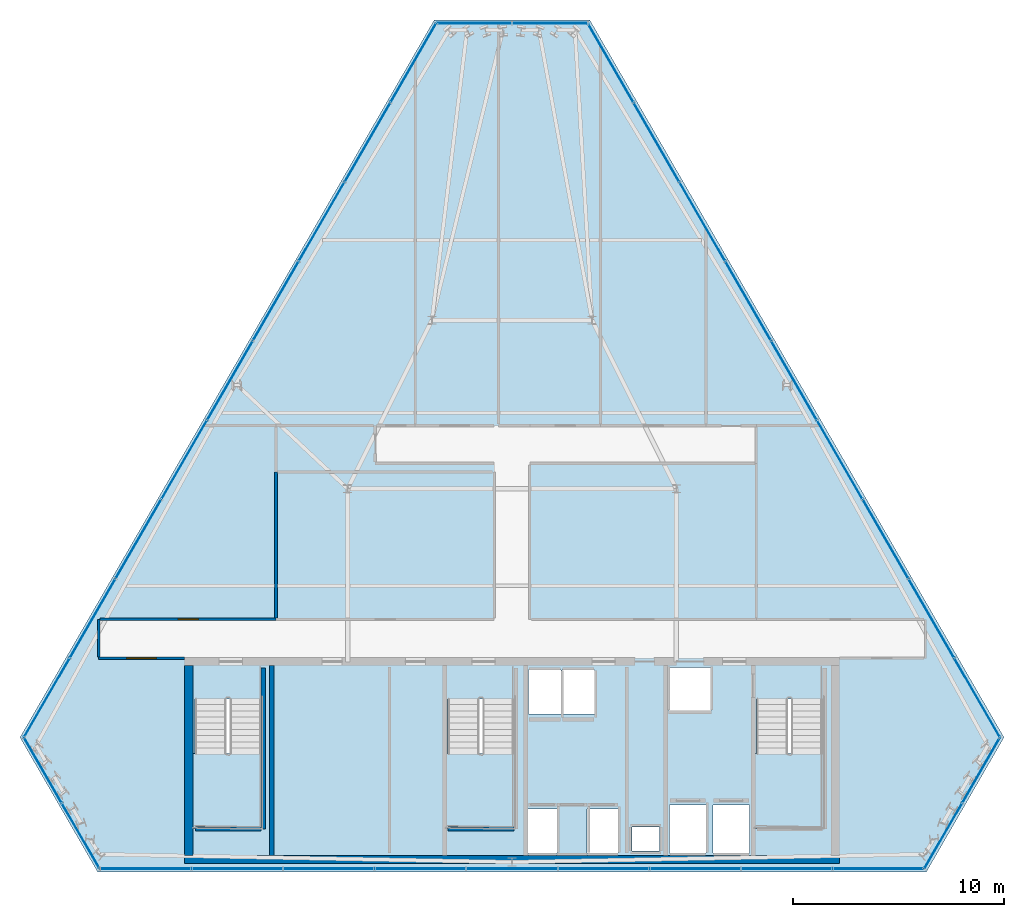
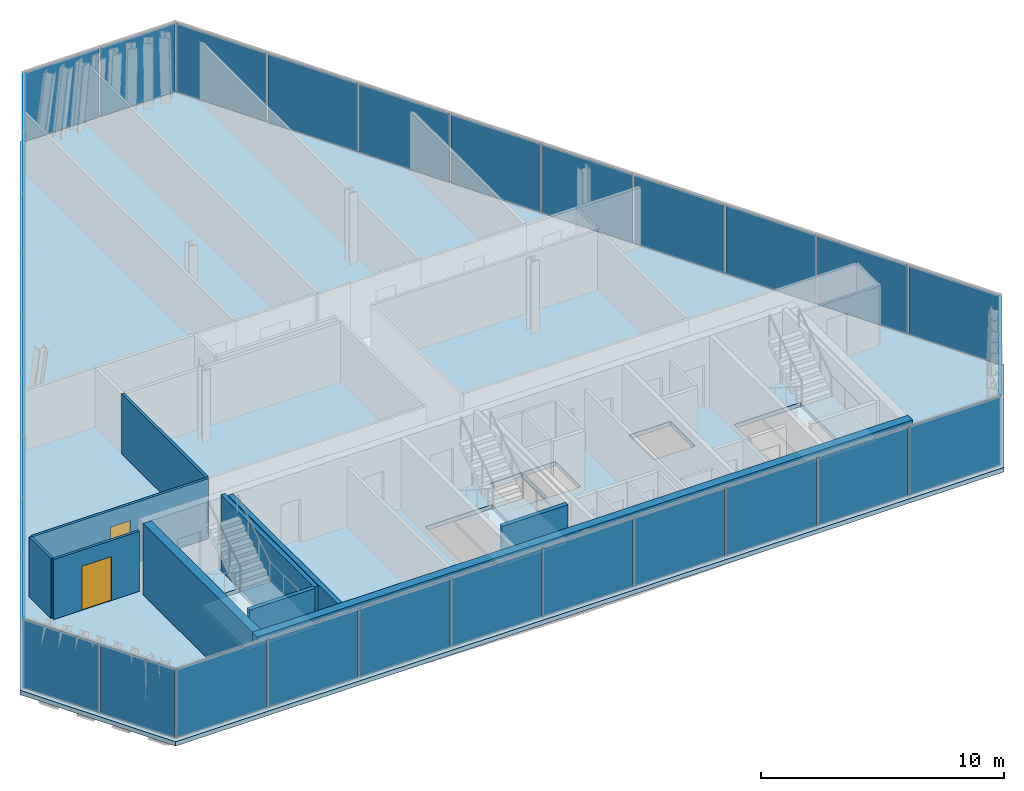
# One storey, part 23 of 29: 33 plates, 10 walls, 4 slabs, 2 doors, 2 openings, 9 elements without a shape of their own.
"""IFC4 building model written with IfcOpenShell, lengths in metres."""

from ifc_helpers import new_model, si_unit, direction, frame, frame_2d, origin, origin_2d, place, context, subcontext, project, spatial, polyline, rectangle, outline, extrude, material, layer, layer_set, type_object, element, fill, aggregate, save


model = new_model("IFC4")

# Units and contexts
model_context = context("Model", 3, precision=1e-05, world=origin(), true_north=direction((0.0, 1.0)))
body_context = subcontext(model_context, "Body", "Model", "MODEL_VIEW")
ifc_project = project(units=[si_unit("LENGTHUNIT", "METRE"), si_unit("AREAUNIT", "SQUARE_METRE"), si_unit("VOLUMEUNIT", "CUBIC_METRE"), si_unit("PLANEANGLEUNIT", "RADIAN"), si_unit("MASSUNIT", "GRAM", prefix="KILO")], contexts=[model_context])

# Site, building, storey
site_placement = place(None, origin())
site = spatial("IfcSite", under=ifc_project, at=site_placement, CompositionType="ELEMENT")
building_placement = place(site_placement, origin())
building = spatial("IfcBuilding", under=site, at=building_placement, Name="Ndaravel Arena Tower", CompositionType="ELEMENT")
storey_placement = place(building_placement, frame((0.0, 0.0, 237.0)))
storey = spatial("IfcBuildingStorey", under=building, at=storey_placement, Name="L57", CompositionType="ELEMENT", Elevation=237.0)

# Curtain wall, plate
ifc_material_1 = material(Name="Aluminium", Category="aluminium")
ifc_layer_1 = layer(ifc_material_1, 0.179931640625)
ifc_layer_set_1 = layer_set([ifc_layer_1], Name="Aluminium")
curtain_wall_type_1 = type_object("IfcCurtainWallType", Name="CW-SYS-01", PredefinedType="NOTDEFINED", material=ifc_layer_set_1)
curtain_wall_1_placement = place(storey_placement, origin())
curtain_wall_1 = element("IfcCurtainWall", 1, at=curtain_wall_1_placement, inside=storey, type_object=curtain_wall_type_1, Name="L57 Faceted Crystal Curtain Wall CW-L57-E02", PredefinedType="NOTDEFINED")
ifc_material_2 = material(Name="Glazing", Category="glass")
ifc_layer_2 = layer(ifc_material_2, 0.035888671875)
ifc_layer_set_2 = layer_set([ifc_layer_2], Name="Glazing")
plate_type_1 = type_object("IfcPlateType", Name="PLT-CW-OPVENT", PredefinedType="CURTAIN_PANEL", material=ifc_layer_set_2)
plate_1_placement = place(storey_placement, frame((64.268310546875, 9.836181640625, 0.06005859375), z_axis=(0.0, 0.0, 1.0), x_axis=(0.499984884929, 0.866034130299, 0.0)))
plate_1 = element("IfcPlate", 2, at=plate_1_placement, type_object=plate_type_1, Name="CW-L57-E02 Operable Vent Sash Panel 02", PredefinedType="CURTAIN_PANEL", context=body_context, shape_type="SweptSolid", body=[
    extrude(rectangle(XDim=3.519775390625, YDim=0.035888671875, at=origin_2d()), origin(), (0.0, 0.0, 1.0), 3.4599609375),
])

curtain_wall_2_placement = place(storey_placement, origin())
curtain_wall_2 = element("IfcCurtainWall", 3, at=curtain_wall_2_placement, inside=storey, type_object=curtain_wall_type_1, Name="L57 Faceted Crystal Curtain Wall CW-L57-E04", PredefinedType="NOTDEFINED")
plate_2_placement = place(storey_placement, frame((40.2001953125, 45.288818359375, 0.06005859375), z_axis=(0.0, 0.0, 1.0), x_axis=(-1.0, 0.0, 0.0)))
plate_2 = element("IfcPlate", 4, at=plate_2_placement, type_object=plate_type_1, Name="CW-L57-E04 Operable Vent Sash Panel 02", PredefinedType="CURTAIN_PANEL", context=body_context, shape_type="SweptSolid", body=[
    extrude(rectangle(XDim=3.519775390625, YDim=0.035888671875, at=origin_2d()), origin(), (0.0, 0.0, 1.0), 3.4599609375),
])

ifc_material_3 = material(Name="Aluminium", Category="aluminium")
ifc_layer_3 = layer(ifc_material_3, 0.179931640625)
ifc_layer_set_3 = layer_set([ifc_layer_3], Name="Aluminium")
curtain_wall_type_2 = type_object("IfcCurtainWallType", Name="CW-SYS-02", PredefinedType="NOTDEFINED", material=ifc_layer_set_3)
curtain_wall_3_placement = place(storey_placement, origin())
curtain_wall_3 = element("IfcCurtainWall", 5, at=curtain_wall_3_placement, inside=storey, type_object=curtain_wall_type_2, Name="L57 Faceted Crystal Curtain Wall CW-L57-E06", PredefinedType="NOTDEFINED")
plate_3_placement = place(storey_placement, frame((21.531494140625, 6.71875, 0.06005859375), z_axis=(0.0, 0.0, 1.0), x_axis=(0.499984884929, -0.866034130299, 0.0)))
plate_3 = element("IfcPlate", 6, at=plate_3_placement, type_object=plate_type_1, Name="CW-L57-E06 Operable Vent Sash Panel 02", PredefinedType="CURTAIN_PANEL", context=body_context, shape_type="SweptSolid", body=[
    extrude(rectangle(XDim=3.519775390625, YDim=0.035888671875, at=origin_2d()), origin(), (0.0, 0.0, 1.0), 3.4599609375),
])

# Plate
ifc_material_4 = material(Name="Glazing", Category="glass")
ifc_layer_4 = layer(ifc_material_4, 0.031982421875)
ifc_layer_set_4 = layer_set([ifc_layer_4], Name="Glazing")
plate_type_2 = type_object("IfcPlateType", Name="PLT-GLZ-FRIT35", PredefinedType="CURTAIN_PANEL", material=ifc_layer_set_4)
plate_4_placement = place(storey_placement, frame((62.468505859375, 6.71875, 0.06005859375), z_axis=(0.0, 0.0, 1.0), x_axis=(0.499984884929, 0.866034130299, 0.0)))
plate_4 = element("IfcPlate", 7, at=plate_4_placement, type_object=plate_type_2, Name="CW-L57-E02 Vision Glass Panel 01", PredefinedType="CURTAIN_PANEL", context=body_context, shape_type="SweptSolid", body=[
    extrude(rectangle(XDim=3.519775390625, YDim=0.035888671875, at=origin_2d()), origin(), (0.0, 0.0, 1.0), 3.4599609375),
])

aggregate(curtain_wall_1, [plate_4, plate_1])

plate_5_placement = place(storey_placement, frame((43.7998046875, 45.288818359375, 0.06005859375), z_axis=(0.0, 0.0, 1.0), x_axis=(-1.0, 0.0, 0.0)))
plate_5 = element("IfcPlate", 8, at=plate_5_placement, type_object=plate_type_2, Name="CW-L57-E04 Vision Glass Panel 01", PredefinedType="CURTAIN_PANEL", context=body_context, shape_type="SweptSolid", body=[
    extrude(rectangle(XDim=3.519775390625, YDim=0.035888671875, at=origin_2d()), origin(), (0.0, 0.0, 1.0), 3.4599609375),
])

aggregate(curtain_wall_2, [plate_5, plate_2])

ifc_material_5 = material(Name="Glazing", Category="glass")
ifc_layer_5 = layer(ifc_material_5, 0.035888671875)
ifc_layer_set_5 = layer_set([ifc_layer_5], Name="Glazing")
plate_type_3 = type_object("IfcPlateType", Name="PLT-GLZ-FRIT55", PredefinedType="CURTAIN_PANEL", material=ifc_layer_set_5)
plate_6_placement = place(storey_placement, frame((19.731689453125, 9.836181640625, 0.06005859375), z_axis=(0.0, 0.0, 1.0), x_axis=(0.499984884929, -0.866034130299, 0.0)))
plate_6 = element("IfcPlate", 9, at=plate_6_placement, type_object=plate_type_3, Name="CW-L57-E06 Vision Glass Panel 01", PredefinedType="CURTAIN_PANEL", context=body_context, shape_type="SweptSolid", body=[
    extrude(rectangle(XDim=3.519775390625, YDim=0.035888671875, at=origin_2d()), origin(), (0.0, 0.0, 1.0), 3.4599609375),
])

aggregate(curtain_wall_3, [plate_6, plate_3])

# Curtain wall, plates
ifc_material_6 = material(Name="Aluminium", Category="aluminium")
ifc_layer_6 = layer(ifc_material_6, 0.179931640625)
ifc_layer_set_6 = layer_set([ifc_layer_6], Name="Aluminium")
curtain_wall_type_3 = type_object("IfcCurtainWallType", Name="CW-SYS-03", PredefinedType="NOTDEFINED", material=ifc_layer_set_6)
curtain_wall_4_placement = place(storey_placement, origin())
curtain_wall_4 = element("IfcCurtainWall", 10, at=curtain_wall_4_placement, inside=storey, type_object=curtain_wall_type_3, Name="L57 Faceted Crystal Curtain Wall CW-L57-E01", PredefinedType="NOTDEFINED")
ifc_material_7 = material(Name="Glazing", Category="glass")
ifc_layer_7 = layer(ifc_material_7, 0.0400390625)
ifc_layer_set_7 = layer_set([ifc_layer_7], Name="Glazing")
plate_type_4 = type_object("IfcPlateType", Name="PLT-GLZ-LOWIRON", PredefinedType="CURTAIN_PANEL", material=ifc_layer_set_7)
plate_7_placement = place(storey_placement, frame((24.605712890625, 5.159912109375, 0.06005859375), z_axis=(0.0, 0.0, 1.0), x_axis=(1.0, 0.0, 0.0)))
plate_7 = element("IfcPlate", 11, at=plate_7_placement, type_object=plate_type_4, Name="CW-L57-E01 Vision Glass Panel 01", PredefinedType="CURTAIN_PANEL", context=body_context, shape_type="SweptSolid", body=[
    extrude(rectangle(XDim=4.2685546875, YDim=0.035888671875, at=origin_2d()), origin(), (0.0, 0.0, 1.0), 3.4599609375),
])
plate_8_placement = place(storey_placement, frame((28.9541015625, 5.159912109375, 0.06005859375), z_axis=(0.0, 0.0, 1.0), x_axis=(1.0, 0.0, 0.0)))
plate_8 = element("IfcPlate", 12, at=plate_8_placement, type_object=plate_type_4, Name="CW-L57-E01 Vision Glass Panel 02", PredefinedType="CURTAIN_PANEL", context=body_context, shape_type="SweptSolid", body=[
    extrude(rectangle(XDim=4.2685546875, YDim=0.035888671875, at=origin_2d()), origin(), (0.0, 0.0, 1.0), 3.4599609375),
])
plate_9_placement = place(storey_placement, frame((33.302734375, 5.159912109375, 0.06005859375), z_axis=(0.0, 0.0, 1.0), x_axis=(1.0, 0.0, 0.0)))
plate_9 = element("IfcPlate", 13, at=plate_9_placement, type_object=plate_type_4, Name="CW-L57-E01 Vision Glass Panel 03", PredefinedType="CURTAIN_PANEL", context=body_context, shape_type="SweptSolid", body=[
    extrude(rectangle(XDim=4.2685546875, YDim=0.035888671875, at=origin_2d()), origin(), (0.0, 0.0, 1.0), 3.4599609375),
])
plate_10_placement = place(storey_placement, frame((37.6513671875, 5.159912109375, 0.06005859375), z_axis=(0.0, 0.0, 1.0), x_axis=(1.0, 0.0, 0.0)))
plate_10 = element("IfcPlate", 14, at=plate_10_placement, type_object=plate_type_4, Name="CW-L57-E01 Vision Glass Panel 04", PredefinedType="CURTAIN_PANEL", context=body_context, shape_type="SweptSolid", body=[
    extrude(rectangle(XDim=4.2685546875, YDim=0.035888671875, at=origin_2d()), origin(), (0.0, 0.0, 1.0), 3.4599609375),
])
plate_11_placement = place(storey_placement, frame((42.0, 5.159912109375, 0.06005859375), z_axis=(0.0, 0.0, 1.0), x_axis=(1.0, 0.0, 0.0)))
plate_11 = element("IfcPlate", 15, at=plate_11_placement, type_object=plate_type_4, Name="CW-L57-E01 Vision Glass Panel 05", PredefinedType="CURTAIN_PANEL", context=body_context, shape_type="SweptSolid", body=[
    extrude(rectangle(XDim=4.2685546875, YDim=0.035888671875, at=origin_2d()), origin(), (0.0, 0.0, 1.0), 3.4599609375),
])
plate_12_placement = place(storey_placement, frame((46.3486328125, 5.159912109375, 0.06005859375), z_axis=(0.0, 0.0, 1.0), x_axis=(1.0, 0.0, 0.0)))
plate_12 = element("IfcPlate", 16, at=plate_12_placement, type_object=plate_type_4, Name="CW-L57-E01 Vision Glass Panel 06", PredefinedType="CURTAIN_PANEL", context=body_context, shape_type="SweptSolid", body=[
    extrude(rectangle(XDim=4.2685546875, YDim=0.035888671875, at=origin_2d()), origin(), (0.0, 0.0, 1.0), 3.4599609375),
])
plate_13_placement = place(storey_placement, frame((50.697265625, 5.159912109375, 0.06005859375), z_axis=(0.0, 0.0, 1.0), x_axis=(1.0, 0.0, 0.0)))
plate_13 = element("IfcPlate", 17, at=plate_13_placement, type_object=plate_type_4, Name="CW-L57-E01 Vision Glass Panel 07", PredefinedType="CURTAIN_PANEL", context=body_context, shape_type="SweptSolid", body=[
    extrude(rectangle(XDim=4.2685546875, YDim=0.035888671875, at=origin_2d()), origin(), (0.0, 0.0, 1.0), 3.4599609375),
])
plate_14_placement = place(storey_placement, frame((55.0458984375, 5.159912109375, 0.06005859375), z_axis=(0.0, 0.0, 1.0), x_axis=(1.0, 0.0, 0.0)))
plate_14 = element("IfcPlate", 18, at=plate_14_placement, type_object=plate_type_4, Name="CW-L57-E01 Vision Glass Panel 08", PredefinedType="CURTAIN_PANEL", context=body_context, shape_type="SweptSolid", body=[
    extrude(rectangle(XDim=4.2685546875, YDim=0.035888671875, at=origin_2d()), origin(), (0.0, 0.0, 1.0), 3.4599609375),
])
plate_15_placement = place(storey_placement, frame((59.394287109375, 5.159912109375, 0.06005859375), z_axis=(0.0, 0.0, 1.0), x_axis=(1.0, 0.0, 0.0)))
plate_15 = element("IfcPlate", 19, at=plate_15_placement, type_object=plate_type_4, Name="CW-L57-E01 Vision Glass Panel 09", PredefinedType="CURTAIN_PANEL", context=body_context, shape_type="SweptSolid", body=[
    extrude(rectangle(XDim=4.2685546875, YDim=0.035888671875, at=origin_2d()), origin(), (0.0, 0.0, 1.0), 3.4599609375),
])
aggregate(curtain_wall_4, [plate_7, plate_8, plate_9, plate_10, plate_11, plate_12, plate_13, plate_14, plate_15])

curtain_wall_5_placement = place(storey_placement, origin())
curtain_wall_5 = element("IfcCurtainWall", 20, at=curtain_wall_5_placement, inside=storey, type_object=curtain_wall_type_3, Name="L57 Faceted Crystal Curtain Wall CW-L57-E03", PredefinedType="NOTDEFINED")
plate_16_placement = place(storey_placement, frame((64.081298828125, 13.27783203125, 0.06005859375), z_axis=(0.0, 0.0, 1.0), x_axis=(-0.5, 0.866025403784, 0.0)))
plate_16 = element("IfcPlate", 21, at=plate_16_placement, type_object=plate_type_4, Name="CW-L57-E03 Vision Glass Panel 01", PredefinedType="CURTAIN_PANEL", context=body_context, shape_type="SweptSolid", body=[
    extrude(rectangle(XDim=4.2685546875, YDim=0.035888671875, at=origin_2d()), origin(), (0.0, 0.0, 1.0), 3.4599609375),
])
plate_17_placement = place(storey_placement, frame((61.906982421875, 17.0439453125, 0.06005859375), z_axis=(0.0, 0.0, 1.0), x_axis=(-0.5, 0.866025403784, 0.0)))
plate_17 = element("IfcPlate", 22, at=plate_17_placement, type_object=plate_type_4, Name="CW-L57-E03 Vision Glass Panel 02", PredefinedType="CURTAIN_PANEL", context=body_context, shape_type="SweptSolid", body=[
    extrude(rectangle(XDim=4.2685546875, YDim=0.035888671875, at=origin_2d()), origin(), (0.0, 0.0, 1.0), 3.4599609375),
])
plate_18_placement = place(storey_placement, frame((59.732666015625, 20.809814453125, 0.06005859375), z_axis=(0.0, 0.0, 1.0), x_axis=(-0.5, 0.866025403784, 0.0)))
plate_18 = element("IfcPlate", 23, at=plate_18_placement, type_object=plate_type_4, Name="CW-L57-E03 Vision Glass Panel 03", PredefinedType="CURTAIN_PANEL", context=body_context, shape_type="SweptSolid", body=[
    extrude(rectangle(XDim=4.2685546875, YDim=0.035888671875, at=origin_2d()), origin(), (0.0, 0.0, 1.0), 3.4599609375),
])
plate_19_placement = place(storey_placement, frame((57.558349609375, 24.575927734375, 0.06005859375), z_axis=(0.0, 0.0, 1.0), x_axis=(-0.5, 0.866025403784, 0.0)))
plate_19 = element("IfcPlate", 24, at=plate_19_placement, type_object=plate_type_4, Name="CW-L57-E03 Vision Glass Panel 04", PredefinedType="CURTAIN_PANEL", context=body_context, shape_type="SweptSolid", body=[
    extrude(rectangle(XDim=4.2685546875, YDim=0.035888671875, at=origin_2d()), origin(), (0.0, 0.0, 1.0), 3.4599609375),
])
plate_20_placement = place(storey_placement, frame((55.384033203125, 28.341796875, 0.06005859375), z_axis=(0.0, 0.0, 1.0), x_axis=(-0.5, 0.866025403784, 0.0)))
plate_20 = element("IfcPlate", 25, at=plate_20_placement, type_object=plate_type_4, Name="CW-L57-E03 Vision Glass Panel 05", PredefinedType="CURTAIN_PANEL", context=body_context, shape_type="SweptSolid", body=[
    extrude(rectangle(XDim=4.2685546875, YDim=0.035888671875, at=origin_2d()), origin(), (0.0, 0.0, 1.0), 3.4599609375),
])
plate_21_placement = place(storey_placement, frame((53.209716796875, 32.10791015625, 0.06005859375), z_axis=(0.0, 0.0, 1.0), x_axis=(-0.5, 0.866025403784, 0.0)))
plate_21 = element("IfcPlate", 26, at=plate_21_placement, type_object=plate_type_4, Name="CW-L57-E03 Vision Glass Panel 06", PredefinedType="CURTAIN_PANEL", context=body_context, shape_type="SweptSolid", body=[
    extrude(rectangle(XDim=4.2685546875, YDim=0.035888671875, at=origin_2d()), origin(), (0.0, 0.0, 1.0), 3.4599609375),
])
plate_22_placement = place(storey_placement, frame((51.035400390625, 35.873779296875, 0.06005859375), z_axis=(0.0, 0.0, 1.0), x_axis=(-0.5, 0.866025403784, 0.0)))
plate_22 = element("IfcPlate", 27, at=plate_22_placement, type_object=plate_type_4, Name="CW-L57-E03 Vision Glass Panel 07", PredefinedType="CURTAIN_PANEL", context=body_context, shape_type="SweptSolid", body=[
    extrude(rectangle(XDim=4.2685546875, YDim=0.035888671875, at=origin_2d()), origin(), (0.0, 0.0, 1.0), 3.4599609375),
])
plate_23_placement = place(storey_placement, frame((48.861083984375, 39.639892578125, 0.06005859375), z_axis=(0.0, 0.0, 1.0), x_axis=(-0.5, 0.866025403784, 0.0)))
plate_23 = element("IfcPlate", 28, at=plate_23_placement, type_object=plate_type_4, Name="CW-L57-E03 Vision Glass Panel 08", PredefinedType="CURTAIN_PANEL", context=body_context, shape_type="SweptSolid", body=[
    extrude(rectangle(XDim=4.2685546875, YDim=0.035888671875, at=origin_2d()), origin(), (0.0, 0.0, 1.0), 3.4599609375),
])
plate_24_placement = place(storey_placement, frame((46.686767578125, 43.406005859375, 0.06005859375), z_axis=(0.0, 0.0, 1.0), x_axis=(-0.5, 0.866025403784, 0.0)))
plate_24 = element("IfcPlate", 29, at=plate_24_placement, type_object=plate_type_4, Name="CW-L57-E03 Vision Glass Panel 09", PredefinedType="CURTAIN_PANEL", context=body_context, shape_type="SweptSolid", body=[
    extrude(rectangle(XDim=4.2685546875, YDim=0.035888671875, at=origin_2d()), origin(), (0.0, 0.0, 1.0), 3.4599609375),
])
aggregate(curtain_wall_5, [plate_16, plate_17, plate_18, plate_19, plate_20, plate_21, plate_22, plate_23, plate_24])

curtain_wall_6_placement = place(storey_placement, origin())
curtain_wall_6 = element("IfcCurtainWall", 30, at=curtain_wall_6_placement, inside=storey, type_object=curtain_wall_type_3, Name="L57 Faceted Crystal Curtain Wall CW-L57-E05", PredefinedType="NOTDEFINED")
plate_25_placement = place(storey_placement, frame((37.313232421875, 43.406005859375, 0.06005859375), z_axis=(0.0, 0.0, 1.0), x_axis=(-0.5, -0.866025403784, 0.0)))
plate_25 = element("IfcPlate", 31, at=plate_25_placement, type_object=plate_type_4, Name="CW-L57-E05 Vision Glass Panel 01", PredefinedType="CURTAIN_PANEL", context=body_context, shape_type="SweptSolid", body=[
    extrude(rectangle(XDim=4.2685546875, YDim=0.035888671875, at=origin_2d()), origin(), (0.0, 0.0, 1.0), 3.4599609375),
])
plate_26_placement = place(storey_placement, frame((35.138916015625, 39.639892578125, 0.06005859375), z_axis=(0.0, 0.0, 1.0), x_axis=(-0.5, -0.866025403784, 0.0)))
plate_26 = element("IfcPlate", 32, at=plate_26_placement, type_object=plate_type_4, Name="CW-L57-E05 Vision Glass Panel 02", PredefinedType="CURTAIN_PANEL", context=body_context, shape_type="SweptSolid", body=[
    extrude(rectangle(XDim=4.2685546875, YDim=0.035888671875, at=origin_2d()), origin(), (0.0, 0.0, 1.0), 3.4599609375),
])
plate_27_placement = place(storey_placement, frame((32.964599609375, 35.873779296875, 0.06005859375), z_axis=(0.0, 0.0, 1.0), x_axis=(-0.5, -0.866025403784, 0.0)))
plate_27 = element("IfcPlate", 33, at=plate_27_placement, type_object=plate_type_4, Name="CW-L57-E05 Vision Glass Panel 03", PredefinedType="CURTAIN_PANEL", context=body_context, shape_type="SweptSolid", body=[
    extrude(rectangle(XDim=4.2685546875, YDim=0.035888671875, at=origin_2d()), origin(), (0.0, 0.0, 1.0), 3.4599609375),
])
plate_28_placement = place(storey_placement, frame((30.790283203125, 32.10791015625, 0.06005859375), z_axis=(0.0, 0.0, 1.0), x_axis=(-0.5, -0.866025403784, 0.0)))
plate_28 = element("IfcPlate", 34, at=plate_28_placement, type_object=plate_type_4, Name="CW-L57-E05 Vision Glass Panel 04", PredefinedType="CURTAIN_PANEL", context=body_context, shape_type="SweptSolid", body=[
    extrude(rectangle(XDim=4.2685546875, YDim=0.035888671875, at=origin_2d()), origin(), (0.0, 0.0, 1.0), 3.4599609375),
])
plate_29_placement = place(storey_placement, frame((28.615966796875, 28.341796875, 0.06005859375), z_axis=(0.0, 0.0, 1.0), x_axis=(-0.5, -0.866025403784, 0.0)))
plate_29 = element("IfcPlate", 35, at=plate_29_placement, type_object=plate_type_4, Name="CW-L57-E05 Vision Glass Panel 05", PredefinedType="CURTAIN_PANEL", context=body_context, shape_type="SweptSolid", body=[
    extrude(rectangle(XDim=4.2685546875, YDim=0.035888671875, at=origin_2d()), origin(), (0.0, 0.0, 1.0), 3.4599609375),
])
plate_30_placement = place(storey_placement, frame((26.441650390625, 24.575927734375, 0.06005859375), z_axis=(0.0, 0.0, 1.0), x_axis=(-0.5, -0.866025403784, 0.0)))
plate_30 = element("IfcPlate", 36, at=plate_30_placement, type_object=plate_type_4, Name="CW-L57-E05 Vision Glass Panel 06", PredefinedType="CURTAIN_PANEL", context=body_context, shape_type="SweptSolid", body=[
    extrude(rectangle(XDim=4.2685546875, YDim=0.035888671875, at=origin_2d()), origin(), (0.0, 0.0, 1.0), 3.4599609375),
])
plate_31_placement = place(storey_placement, frame((24.267333984375, 20.809814453125, 0.06005859375), z_axis=(0.0, 0.0, 1.0), x_axis=(-0.5, -0.866025403784, 0.0)))
plate_31 = element("IfcPlate", 37, at=plate_31_placement, type_object=plate_type_4, Name="CW-L57-E05 Vision Glass Panel 07", PredefinedType="CURTAIN_PANEL", context=body_context, shape_type="SweptSolid", body=[
    extrude(rectangle(XDim=4.2685546875, YDim=0.035888671875, at=origin_2d()), origin(), (0.0, 0.0, 1.0), 3.4599609375),
])
plate_32_placement = place(storey_placement, frame((22.093017578125, 17.0439453125, 0.06005859375), z_axis=(0.0, 0.0, 1.0), x_axis=(-0.5, -0.866025403784, 0.0)))
plate_32 = element("IfcPlate", 38, at=plate_32_placement, type_object=plate_type_4, Name="CW-L57-E05 Vision Glass Panel 08", PredefinedType="CURTAIN_PANEL", context=body_context, shape_type="SweptSolid", body=[
    extrude(rectangle(XDim=4.2685546875, YDim=0.035888671875, at=origin_2d()), origin(), (0.0, 0.0, 1.0), 3.4599609375),
])
plate_33_placement = place(storey_placement, frame((19.918701171875, 13.27783203125, 0.06005859375), z_axis=(0.0, 0.0, 1.0), x_axis=(-0.5, -0.866025403784, 0.0)))
plate_33 = element("IfcPlate", 39, at=plate_33_placement, type_object=plate_type_4, Name="CW-L57-E05 Vision Glass Panel 09", PredefinedType="CURTAIN_PANEL", context=body_context, shape_type="SweptSolid", body=[
    extrude(rectangle(XDim=4.2685546875, YDim=0.035888671875, at=origin_2d()), origin(), (0.0, 0.0, 1.0), 3.4599609375),
])
aggregate(curtain_wall_6, [plate_25, plate_26, plate_27, plate_28, plate_29, plate_30, plate_31, plate_32, plate_33])

# Stair, slab
ifc_material_8 = material(Name="Concrete C40/50", Category="concrete")
stair_type = type_object("IfcStairType", Name="STAIR-CORE-HT", PredefinedType="HALF_TURN_STAIR", material=ifc_material_8)
stair_1_placement = place(storey_placement, origin())
stair_1 = element("IfcStair", 40, at=stair_1_placement, inside=storey, type_object=stair_type, Name="L57 ST-1", PredefinedType="HALF_TURN_STAIR")
ifc_material_9 = material(Name="Concrete C40/50", Category="concrete")
ifc_layer_8 = layer(ifc_material_9, 0.199951171875)
ifc_layer_set_8 = layer_set([ifc_layer_8], Name="Concrete C40/50")
slab_type_1 = type_object("IfcSlabType", Name="SLAB-STAIR-LANDING", PredefinedType="LANDING", material=ifc_layer_set_8)
slab_1_placement = place(storey_placement, frame((0.0, 0.0, 1.699951171875)))
slab_1 = element("IfcSlab", 41, at=slab_1_placement, type_object=slab_type_1, Name="ST-1 landing 1", PredefinedType="LANDING", context=body_context, shape_type="SweptSolid", body=[
    extrude(outline(polyline([(26.81005859375, 10.6298828125), (26.81005859375, 7.070068359375), (30.169921875, 7.070068359375), (30.169921875, 10.6298828125), (26.81005859375, 10.6298828125)])), origin(), (0.0, 0.0, 1.0), 0.199951171875),
])
aggregate(stair_1, [slab_1])

stair_2_placement = place(storey_placement, origin())
stair_2 = element("IfcStair", 42, at=stair_2_placement, inside=storey, type_object=stair_type, Name="L57 ST-2", PredefinedType="HALF_TURN_STAIR")
slab_2_placement = place(storey_placement, frame((0.0, 0.0, 1.699951171875)))
slab_2 = element("IfcSlab", 43, at=slab_2_placement, type_object=slab_type_1, Name="ST-2 landing 1", PredefinedType="LANDING", context=body_context, shape_type="SweptSolid", body=[
    extrude(outline(polyline([(38.81005859375, 10.6298828125), (38.81005859375, 7.070068359375), (42.169921875, 7.070068359375), (42.169921875, 10.6298828125), (38.81005859375, 10.6298828125)])), origin(), (0.0, 0.0, 1.0), 0.199951171875),
])
aggregate(stair_2, [slab_2])

stair_3_placement = place(storey_placement, origin())
stair_3 = element("IfcStair", 44, at=stair_3_placement, inside=storey, type_object=stair_type, Name="L57 ST-3", PredefinedType="HALF_TURN_STAIR")
slab_3_placement = place(storey_placement, frame((0.0, 0.0, 1.699951171875)))
slab_3 = element("IfcSlab", 45, at=slab_3_placement, type_object=slab_type_1, Name="ST-3 landing 1", PredefinedType="LANDING", context=body_context, shape_type="SweptSolid", body=[
    extrude(outline(polyline([(53.4599609375, 10.6298828125), (53.4599609375, 7.070068359375), (56.820068359375, 7.070068359375), (56.820068359375, 10.6298828125), (53.4599609375, 10.6298828125)])), origin(), (0.0, 0.0, 1.0), 0.199951171875),
])
aggregate(stair_3, [slab_3])

# Slab
ifc_material_10 = material(Name="Concrete C40/50", Category="concrete")
ifc_layer_9 = layer(ifc_material_10, 0.219970703125)
ifc_layer_set_9 = layer_set([ifc_layer_9], Name="Concrete C40/50")
slab_type_2 = type_object("IfcSlabType", Name="SLAB-TWR-220", PredefinedType="FLOOR", material=ifc_layer_set_9)
slab_4_placement = place(storey_placement, frame((0.0, 0.0, -0.219970703125)))
element("IfcSlab", 46, at=slab_4_placement, inside=storey, type_object=slab_type_2, Name="L57 Structural Floor Slab", PredefinedType="FLOOR", context=body_context, shape_type="SweptSolid", body=[
    extrude(outline(polyline([(18.64697265625, 11.39501953125), (22.3388671875, 5.0), (61.6611328125, 5.0), (65.35302734375, 11.39501953125), (45.692138671875, 45.448974609375), (38.307861328125, 45.448974609375), (18.64697265625, 11.39501953125)]), holes=[polyline([(26.949951171875, 13.215087890625), (26.949951171875, 7.14990234375), (30.090087890625, 7.14990234375), (30.090087890625, 13.215087890625), (26.949951171875, 13.215087890625)]), polyline([(38.949951171875, 13.215087890625), (38.949951171875, 7.14990234375), (42.090087890625, 7.14990234375), (42.090087890625, 13.215087890625), (38.949951171875, 13.215087890625)]), polyline([(53.60009765625, 13.215087890625), (53.60009765625, 7.14990234375), (56.739990234375, 7.14990234375), (56.739990234375, 13.215087890625), (53.60009765625, 13.215087890625)]), polyline([(42.659912109375, 5.909912109375), (44.139892578125, 5.909912109375), (44.139892578125, 7.989990234375), (42.659912109375, 7.989990234375), (42.659912109375, 5.909912109375)]), polyline([(45.56005859375, 5.909912109375), (47.0400390625, 5.909912109375), (47.0400390625, 7.989990234375), (45.56005859375, 7.989990234375), (45.56005859375, 5.909912109375)]), polyline([(42.784912109375, 12.510009765625), (44.31494140625, 12.510009765625), (44.31494140625, 14.590087890625), (42.784912109375, 14.590087890625), (42.784912109375, 12.510009765625)]), polyline([(44.385009765625, 12.510009765625), (45.9150390625, 12.510009765625), (45.9150390625, 14.590087890625), (44.385009765625, 14.590087890625), (44.385009765625, 12.510009765625)]), polyline([(49.485107421875, 5.909912109375), (51.215087890625, 5.909912109375), (51.215087890625, 8.18994140625), (49.485107421875, 8.18994140625), (49.485107421875, 5.909912109375)]), polyline([(51.534912109375, 5.909912109375), (53.264892578125, 5.909912109375), (53.264892578125, 8.18994140625), (51.534912109375, 8.18994140625), (51.534912109375, 5.909912109375)]), polyline([(49.4599609375, 12.68505859375), (51.43994140625, 12.68505859375), (51.43994140625, 14.715087890625), (49.4599609375, 14.715087890625), (49.4599609375, 12.68505859375)]), polyline([(47.699951171875, 6.0), (49.0, 6.0), (49.0, 7.139892578125), (47.699951171875, 7.139892578125), (47.699951171875, 6.0)])]), origin(), (0.0, 0.0, 1.0), 0.219970703125),
])

# Walls
ifc_material_11 = material(Name="Concrete C50/60", Category="concrete")
ifc_layer_10 = layer(ifc_material_11, 0.219970703125)
ifc_layer_set_10 = layer_set([ifc_layer_10], Name="Concrete C50/60")
wall_type_1 = type_object("IfcWallType", Name="WALL-CORE-220", PredefinedType="SOLIDWALL", material=ifc_layer_set_10)
wall_1_placement = place(storey_placement, frame((30.60009765625, 5.800048828125, 0.0), z_axis=(0.0, 0.0, 1.0), x_axis=(0.0, 1.0, 0.0)))
element("IfcWall", 47, at=wall_1_placement, inside=storey, type_object=wall_type_1, Name="L57 Core Web Shear Wall 1", PredefinedType="SOLIDWALL", context=body_context, shape_type="SweptSolid", body=[
    extrude(rectangle(XDim=9.0, YDim=0.219970703125, at=frame_2d((4.5, 0.0))), origin(), (0.0, 0.0, 1.0), 3.580078125),
])
ifc_material_12 = material(Name="Concrete C50/60", Category="concrete")
ifc_layer_11 = layer(ifc_material_12, 0.39990234375)
ifc_layer_set_11 = layer_set([ifc_layer_11], Name="Concrete C50/60")
wall_type_2 = type_object("IfcWallType", Name="WALL-CORE-400", PredefinedType="SOLIDWALL", material=ifc_layer_set_11)
wall_2_placement = place(storey_placement, frame((26.449951171875, 5.60009765625, 0.0), z_axis=(0.0, 0.0, 1.0), x_axis=(1.0, 0.0, 0.0)))
element("IfcWall", 48, at=wall_2_placement, inside=storey, type_object=wall_type_2, Name="L57 Core South Shear Wall", PredefinedType="SOLIDWALL", context=body_context, shape_type="SweptSolid", body=[
    extrude(rectangle(XDim=31.10009765625, YDim=0.39990234375, at=frame_2d((15.550048828125, 0.0))), origin(), (0.0, 0.0, 1.0), 3.580078125),
])
wall_3_placement = place(storey_placement, frame((26.64990234375, 5.800048828125, 0.0), z_axis=(0.0, 0.0, 1.0), x_axis=(0.0, 1.0, 0.0)))
element("IfcWall", 49, at=wall_3_placement, inside=storey, type_object=wall_type_2, Name="L57 Core West Shear Wall", PredefinedType="SOLIDWALL", context=body_context, shape_type="SweptSolid", body=[
    extrude(rectangle(XDim=9.0, YDim=0.39990234375, at=frame_2d((4.5, 0.0))), origin(), (0.0, 0.0, 1.0), 3.580078125),
])

# Wall, opening, door
ifc_material_13 = material(Name="Gypsum", Category="gypsum")
ifc_layer_12 = layer(ifc_material_13, 0.125)
ifc_layer_set_12 = layer_set([ifc_layer_12], Name="Gypsum")
wall_type_3 = type_object("IfcWallType", Name="WALL-PART-125", PredefinedType="PARTITIONING", material=ifc_layer_set_12)
wall_4_placement = place(storey_placement, frame((26.449951171875, 15.14990234375, 0.0), z_axis=(0.0, 0.0, 1.0), x_axis=(-1.0, 0.0, 0.0)))
wall_4 = element("IfcWall", 50, at=wall_4_placement, inside=storey, type_object=wall_type_3, Name="L57 Interior Partition 003", PredefinedType="PARTITIONING", context=body_context, shape_type="SweptSolid", body=[
    extrude(rectangle(XDim=4.072021484375, YDim=0.125, at=frame_2d((2.0361328125, 0.0))), origin(), (0.0, 0.0, 1.0), 3.010498046875),
])
opening_1_placement = place(wall_4_placement, frame((1.3359375, 0.0, 0.0)))
opening_1 = element("IfcOpeningElement", 51, at=opening_1_placement, cuts=wall_4, Name="Opening ID-02", PredefinedType="OPENING", context=body_context, shape_type="SweptSolid", body=[
    extrude(rectangle(XDim=1.39990234375, YDim=2.199951171875, at=frame_2d((0.699951171875, 1.10009765625))), frame((0.0, 0.0625, 0.0), z_axis=(0.0, -1.0, 0.0), x_axis=(1.0, 0.0, 0.0)), (0.0, 0.0, 1.0), 0.125),
])
ifc_material_14 = material(Name="Timber", Category="wood")
door_type_1 = type_object("IfcDoorType", Name="DT-04-SUITE-1400", OperationType="DOUBLE_DOOR_SINGLE_SWING", PredefinedType="DOOR", material=ifc_material_14)
door_1_placement = place(opening_1_placement, origin())
door_1 = element("IfcDoor", 52, at=door_1_placement, inside=storey, type_object=door_type_1, Name="L57 Collaborative Lounge Door", OperationType="SINGLE_SWING_RIGHT", OverallHeight=2.199951171875, OverallWidth=1.39990234375, PredefinedType="DOOR", context=body_context, shape_type="SweptSolid", body=[
    extrude(rectangle(XDim=1.39990234375, YDim=2.199951171875, at=frame_2d((0.699951171875, 1.10009765625))), frame((0.0, 0.02490234375, 0.0), z_axis=(0.0, -1.0, 0.0), x_axis=(1.0, 0.0, 0.0)), (0.0, 0.0, 1.0), 0.050048828125),
])
fill(opening_1, door_1)

# Wall
wall_5_placement = place(storey_placement, frame((22.3779296875, 15.215087890625, 0.0), z_axis=(0.0, 0.0, 1.0), x_axis=(0.0, 1.0, 0.0)))
element("IfcWall", 53, at=wall_5_placement, inside=storey, type_object=wall_type_3, Name="L57 Interior Partition 004", PredefinedType="PARTITIONING", context=body_context, shape_type="SweptSolid", body=[
    extrude(rectangle(XDim=1.784912109375, YDim=0.125, at=frame_2d((0.892578125, 0.0))), origin(), (0.0, 0.0, 1.0), 3.010498046875),
])

# Wall, opening, door
wall_6_placement = place(storey_placement, frame((22.443115234375, 17.0, 0.0), z_axis=(0.0, 0.0, 1.0), x_axis=(1.0, 0.0, 0.0)))
wall_6 = element("IfcWall", 54, at=wall_6_placement, inside=storey, type_object=wall_type_3, Name="L57 Interior Partition 005", PredefinedType="PARTITIONING", context=body_context, shape_type="SweptSolid", body=[
    extrude(rectangle(XDim=8.35693359375, YDim=0.125, at=frame_2d((4.178466796875, 0.0))), origin(), (0.0, 0.0, 1.0), 3.010498046875),
])
opening_2_placement = place(wall_6_placement, frame((3.70361328125, 0.0, 0.0)))
opening_2 = element("IfcOpeningElement", 55, at=opening_2_placement, cuts=wall_6, Name="Opening ID-01", PredefinedType="OPENING", context=body_context, shape_type="SweptSolid", body=[
    extrude(rectangle(XDim=0.949951171875, YDim=2.199951171875, at=frame_2d((0.47509765625, 1.10009765625))), frame((0.0, 0.0625, 0.0), z_axis=(0.0, -1.0, 0.0), x_axis=(1.0, 0.0, 0.0)), (0.0, 0.0, 1.0), 0.125),
])
ifc_material_15 = material(Name="Timber", Category="wood")
door_type_2 = type_object("IfcDoorType", Name="DT-03-OFFICE-950", OperationType="SINGLE_SWING_LEFT", PredefinedType="DOOR", material=ifc_material_15)
door_2_placement = place(opening_2_placement, origin())
door_2 = element("IfcDoor", 56, at=door_2_placement, inside=storey, type_object=door_type_2, Name="L57 Quiet Study Room 3 Door", OperationType="SINGLE_SWING_LEFT", OverallHeight=2.199951171875, OverallWidth=0.949951171875, PredefinedType="DOOR", context=body_context, shape_type="SweptSolid", body=[
    extrude(rectangle(XDim=0.949951171875, YDim=2.199951171875, at=frame_2d((0.47509765625, 1.10009765625))), frame((0.0, 0.02490234375, 0.0), z_axis=(0.0, -1.0, 0.0), x_axis=(1.0, 0.0, 0.0)), (0.0, 0.0, 1.0), 0.050048828125),
])
fill(opening_2, door_2)

# Walls
wall_7_placement = place(storey_placement, frame((30.800048828125, 17.06494140625, 0.0), z_axis=(0.0, 0.0, 1.0), x_axis=(0.0, 1.0, 0.0)))
element("IfcWall", 57, at=wall_7_placement, inside=storey, type_object=wall_type_3, Name="L57 Interior Partition 021", PredefinedType="PARTITIONING", context=body_context, shape_type="SweptSolid", body=[
    extrude(rectangle(XDim=6.927001953125, YDim=0.125, at=frame_2d((3.46337890625, 0.0))), origin(), (0.0, 0.0, 1.0), 3.010498046875),
])
ifc_material_16 = material(Name="Concrete C40/50", Category="concrete")
ifc_layer_13 = layer(ifc_material_16, 0.199951171875)
ifc_layer_set_13 = layer_set([ifc_layer_13], Name="Concrete C40/50")
wall_type_4 = type_object("IfcWallType", Name="WALL-SHAFT-200", PredefinedType="SOLIDWALL", material=ifc_layer_set_13)
wall_8_placement = place(storey_placement, frame((30.18994140625, 14.699951171875, 0.0), z_axis=(0.0, 0.0, 1.0), x_axis=(0.0, -1.0, 0.0)))
element("IfcWall", 58, at=wall_8_placement, inside=storey, type_object=wall_type_4, Name="L57 ST-1 Structural Shaft Wall Right", PredefinedType="SOLIDWALL", context=body_context, shape_type="SweptSolid", body=[
    extrude(rectangle(XDim=7.64990234375, YDim=0.199951171875, at=frame_2d((3.824951171875, 0.0))), origin(), (0.0, 0.0, 1.0), 3.800048828125),
])
for number, where, z_axis, x_axis, name in (
    (59, (26.969970703125, 7.050048828125, 0.0), (0.0, 0.0, 1.0), (1.0, 0.0, 0.0), "L57 ST-1 Structural Shaft Wall Far"),
    (60, (38.969970703125, 7.050048828125, 0.0), (0.0, 0.0, 1.0), (1.0, 0.0, 0.0), "L57 ST-2 Structural Shaft Wall Far"),
):
    element("IfcWall", number, at=place(storey_placement, frame(where, z_axis=z_axis, x_axis=x_axis)), inside=storey, type_object=wall_type_4, Name=name, PredefinedType="SOLIDWALL", context=body_context, shape_type="SweptSolid", body=[
        extrude(rectangle(XDim=3.114990234375, YDim=0.199951171875, at=frame_2d((1.5576171875, 0.0))), origin(), (0.0, 0.0, 1.0), 3.800048828125),
    ])

save(model, "model.ifc")
